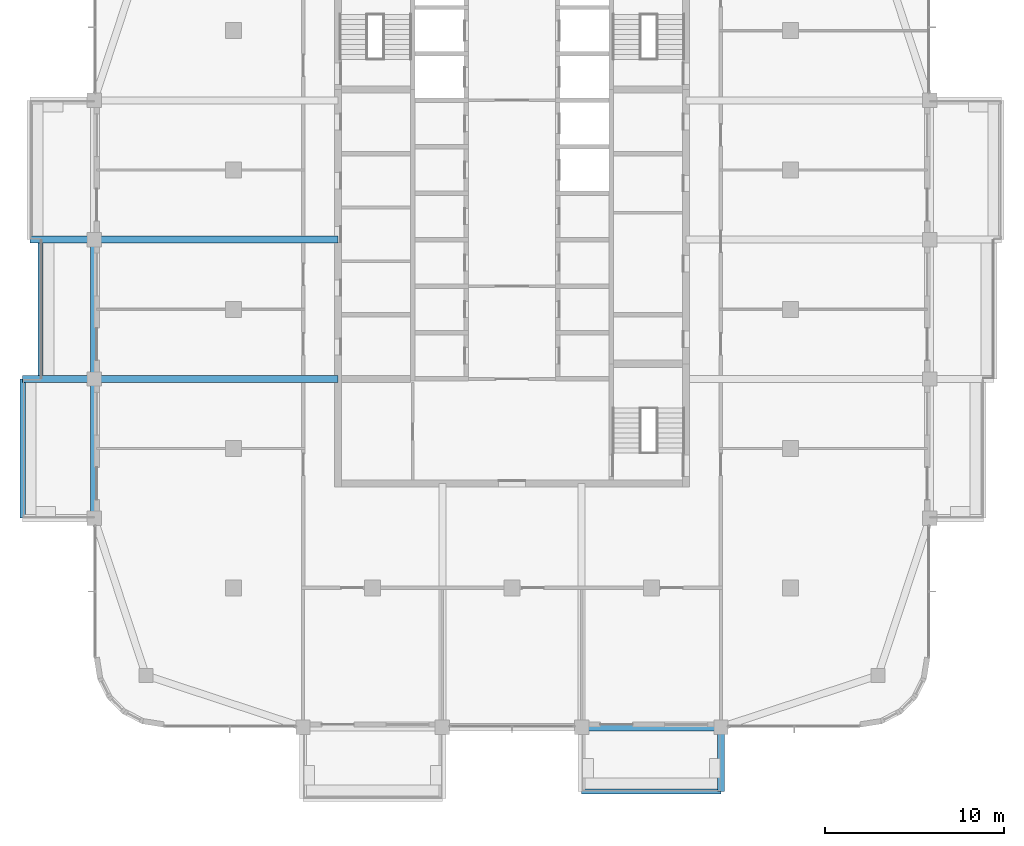
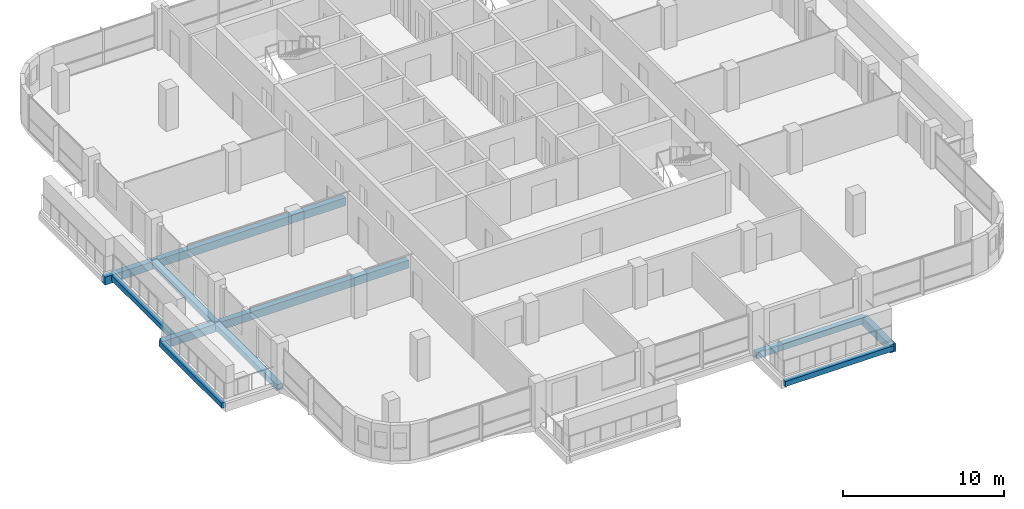
# One storey, part 4 of 22: 11 beams.
"""IFC4 building model written with IfcOpenShell, lengths in metres."""

from ifc_helpers import new_model, si_unit, direction, frame, origin, origin_2d, place, context, subcontext, project, spatial, rectangle, extrude, material, material_profile, profile_set, type_object, element, save


model = new_model("IFC4")

# Units and contexts
model_context = context("Model", 3, precision=1e-05, world=origin(), true_north=direction((0.0, 1.0)))
body_context = subcontext(model_context, "Body", "Model", "MODEL_VIEW")
ifc_project = project(units=[si_unit("LENGTHUNIT", "METRE"), si_unit("AREAUNIT", "SQUARE_METRE"), si_unit("VOLUMEUNIT", "CUBIC_METRE"), si_unit("PLANEANGLEUNIT", "RADIAN"), si_unit("MASSUNIT", "GRAM", prefix="KILO")], contexts=[model_context])

# Site, building, storey
site_placement = place(None, origin())
site = spatial("IfcSite", under=ifc_project, at=site_placement, CompositionType="ELEMENT")
building_placement = place(site_placement, origin())
building = spatial("IfcBuilding", under=site, at=building_placement, Name="Ludao Terraces", CompositionType="ELEMENT")
storey_placement = place(building_placement, frame((0.0, 0.0, 200.699951171875)))
storey = spatial("IfcBuildingStorey", under=building, at=storey_placement, Name="L54", CompositionType="ELEMENT", Elevation=200.699951171875)

# Beams
ifc_material = material(Name="Concrete C40", Category="concrete")
ifc_material_profile_1 = material_profile(ifc_material, rectangle(XDim=0.300048828125, YDim=0.39990234375, at=origin_2d()), Name="300 X 400")
ifc_profile_set_1 = profile_set([ifc_material_profile_1], Name="Concrete C40")
beam_type_1 = type_object("IfcBeamType", Name="RC beam 300x400 C40", PredefinedType="BEAM", material=ifc_profile_set_1)
for number, where, z_axis, x_axis, name in (
    (1, (88.89990234375, 38.0, -0.449951171875), (1.0, 0.0, 0.0), (0.0, 1.0, 0.0), "Balcony edge beam L54 S3"),
    (2, (57.60009765625, 53.300048828125, -0.449951171875), (0.0, 1.0, 0.0), (-1.0, 0.0, 0.0), "Balcony edge beam L54 W1"),
):
    element("IfcBeam", number, at=place(storey_placement, frame(where, z_axis=z_axis, x_axis=x_axis)), inside=storey, type_object=beam_type_1, Name=name, PredefinedType="BEAM", context=body_context, shape_type="SweptSolid", body=[
        extrude(rectangle(XDim=0.300048828125, YDim=0.39990234375, at=origin_2d()), origin(), (0.0, 0.0, 1.0), 7.800048828125),
    ])
beam_1_placement = place(storey_placement, frame((58.60009765625, 61.10009765625, -0.449951171875), z_axis=(0.0, 1.0, 0.0), x_axis=(-1.0, 0.0, 0.0)))
element("IfcBeam", 3, at=beam_1_placement, inside=storey, type_object=beam_type_1, Name="Balcony edge beam L54 W2", PredefinedType="BEAM", context=body_context, shape_type="SweptSolid", body=[
    extrude(rectangle(XDim=0.300048828125, YDim=0.39990234375, at=origin_2d()), origin(), (0.0, 0.0, 1.0), 7.7998046875),
])
ifc_material_profile_2 = material_profile(ifc_material, rectangle(XDim=0.39990234375, YDim=0.449951171875, at=origin_2d()), Name="400 X 450")
ifc_profile_set_2 = profile_set([ifc_material_profile_2], Name="Concrete C40")
beam_type_2 = type_object("IfcBeamType", Name="RC beam 400x450 C40", PredefinedType="BEAM", material=ifc_profile_set_2)
for number, where, z_axis, x_axis, name in (
    (4, (88.89990234375, 41.60009765625, -0.474853515625), (1.0, 0.0, 0.0), (0.0, 1.0, 0.0), "Spandrel beam L54 S4"),
    (5, (61.60009765625, 53.300048828125, -0.474853515625), (0.0, 1.0, 0.0), (-1.0, 0.0, 0.0), "Spandrel beam L54 W9"),
):
    element("IfcBeam", number, at=place(storey_placement, frame(where, z_axis=z_axis, x_axis=x_axis)), inside=storey, type_object=beam_type_2, Name=name, PredefinedType="BEAM", context=body_context, shape_type="SweptSolid", body=[
        extrude(rectangle(XDim=0.39990234375, YDim=0.449951171875, at=origin_2d()), origin(), (0.0, 0.0, 1.0), 7.800048828125),
    ])
beam_2_placement = place(storey_placement, frame((61.60009765625, 61.10009765625, -0.474853515625), z_axis=(0.0, 1.0, 0.0), x_axis=(-1.0, 0.0, 0.0)))
element("IfcBeam", 6, at=beam_2_placement, inside=storey, type_object=beam_type_2, Name="Spandrel beam L54 W10", PredefinedType="BEAM", context=body_context, shape_type="SweptSolid", body=[
    extrude(rectangle(XDim=0.39990234375, YDim=0.449951171875, at=origin_2d()), origin(), (0.0, 0.0, 1.0), 7.7998046875),
])
ifc_material_profile_3 = material_profile(ifc_material, rectangle(XDim=0.39990234375, YDim=0.60009765625, at=origin_2d()), Name="400 X 600")
ifc_profile_set_3 = profile_set([ifc_material_profile_3], Name="Concrete C40")
beam_type_3 = type_object("IfcBeamType", Name="RC beam 400x600 C40", PredefinedType="BEAM", material=ifc_profile_set_3)
beam_3_placement = place(storey_placement, frame((96.699951171875, 41.60009765625, -0.550048828125), z_axis=(0.0, -1.0, 0.0), x_axis=(1.0, 0.0, 0.0)))
element("IfcBeam", 7, at=beam_3_placement, inside=storey, type_object=beam_type_3, Name="Balcony beam L54 S967", PredefinedType="BEAM", context=body_context, shape_type="SweptSolid", body=[
    extrude(rectangle(XDim=0.39990234375, YDim=0.60009765625, at=origin_2d()), origin(), (0.0, 0.0, 1.0), 3.60009765625),
])
beam_4_placement = place(storey_placement, frame((75.25, 61.10009765625, -0.550048828125), z_axis=(-1.0, 0.0, 0.0), x_axis=(0.0, -1.0, 0.0)))
element("IfcBeam", 8, at=beam_4_placement, inside=storey, type_object=beam_type_3, Name="Balcony beam L54 W611", PredefinedType="BEAM", context=body_context, shape_type="SweptSolid", body=[
    extrude(rectangle(XDim=0.39990234375, YDim=0.60009765625, at=origin_2d()), origin(), (0.0, 0.0, 1.0), 13.64990234375),
])
beam_5_placement = place(storey_placement, frame((61.60009765625, 61.10009765625, -0.550048828125), z_axis=(-1.0, 0.0, 0.0), x_axis=(0.0, -1.0, 0.0)))
element("IfcBeam", 9, at=beam_5_placement, inside=storey, type_object=beam_type_3, Name="Balcony beam L54 W611", PredefinedType="BEAM", context=body_context, shape_type="SweptSolid", body=[
    extrude(rectangle(XDim=0.39990234375, YDim=0.60009765625, at=origin_2d()), origin(), (0.0, 0.0, 1.0), 4.0),
])
beam_6_placement = place(storey_placement, frame((75.25, 68.89990234375, -0.550048828125), z_axis=(-1.0, 0.0, 0.0), x_axis=(0.0, -1.0, 0.0)))
element("IfcBeam", 10, at=beam_6_placement, inside=storey, type_object=beam_type_3, Name="Balcony beam L54 W689", PredefinedType="BEAM", context=body_context, shape_type="SweptSolid", body=[
    extrude(rectangle(XDim=0.39990234375, YDim=0.60009765625, at=origin_2d()), origin(), (0.0, 0.0, 1.0), 13.64990234375),
])
beam_7_placement = place(storey_placement, frame((61.60009765625, 68.89990234375, -0.550048828125), z_axis=(-1.0, 0.0, 0.0), x_axis=(0.0, -1.0, 0.0)))
element("IfcBeam", 11, at=beam_7_placement, inside=storey, type_object=beam_type_3, Name="Balcony beam L54 W689", PredefinedType="BEAM", context=body_context, shape_type="SweptSolid", body=[
    extrude(rectangle(XDim=0.39990234375, YDim=0.60009765625, at=origin_2d()), origin(), (0.0, 0.0, 1.0), 3.60009765625),
])

save(model, "model.ifc")
